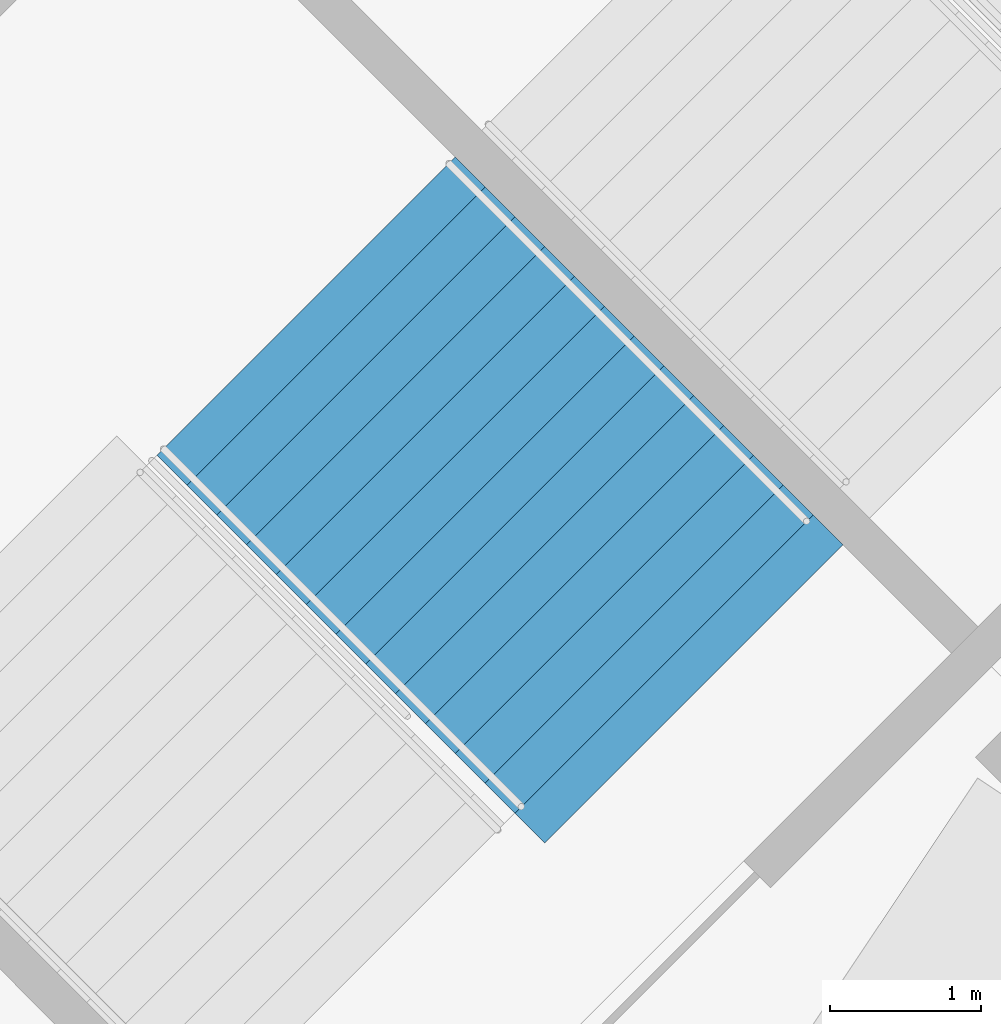
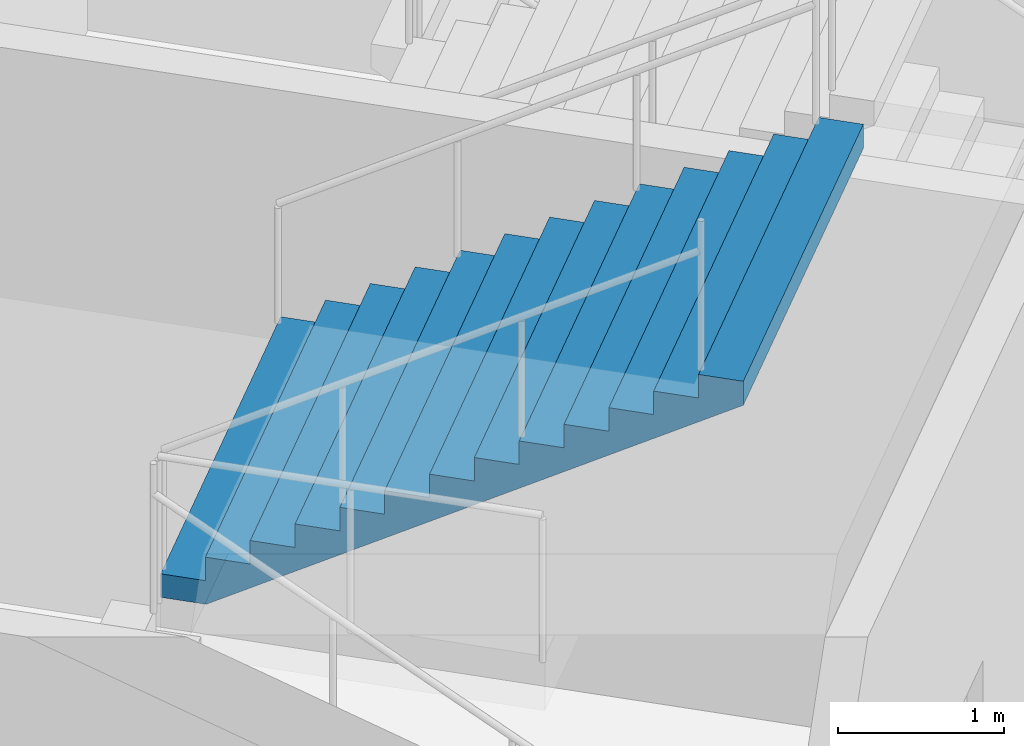
# One storey, part 116 of 175: 1 stair flight, 1 element without a shape of its own.
"""IFC4 building model written with IfcOpenShell, lengths in metres."""

from ifc_helpers import new_model, si_unit, direction, frame, origin, place, context, subcontext, project, spatial, faceted_brep, material, type_object, element, aggregate, save


model = new_model("IFC4")

# Units and contexts
model_context = context("Model", 3, precision=1e-05, world=origin(), true_north=direction((0.0, 1.0)))
body_context = subcontext(model_context, "Body", "Model", "MODEL_VIEW")
ifc_project = project(units=[si_unit("LENGTHUNIT", "METRE"), si_unit("AREAUNIT", "SQUARE_METRE"), si_unit("VOLUMEUNIT", "CUBIC_METRE"), si_unit("PLANEANGLEUNIT", "RADIAN"), si_unit("MASSUNIT", "GRAM", prefix="KILO")], contexts=[model_context])

# Site, building, storey
site_placement = place(None, origin())
site = spatial("IfcSite", under=ifc_project, at=site_placement, CompositionType="ELEMENT")
building_placement = place(site_placement, origin())
building = spatial("IfcBuilding", under=site, at=building_placement, Name="Ogive Plaza Stadium", CompositionType="ELEMENT")
storey_placement = place(building_placement, origin())
storey = spatial("IfcBuildingStorey", under=building, at=storey_placement, Name="L00", CompositionType="ELEMENT", Elevation=0.0)

# Stair, stair flight
ifc_material_1 = material(Name="Concrete C40/50", Category="concrete")
stair_type = type_object("IfcStairType", Name="Exit stair", PredefinedType="STRAIGHT_RUN_STAIR", material=ifc_material_1)
stair_placement = place(storey_placement, origin())
stair = element("IfcStair", 1, at=stair_placement, inside=storey, type_object=stair_type, Name="Exit stair ST30B L00 to L01", PredefinedType="STRAIGHT_RUN_STAIR")
ifc_material_2 = material(Name="Concrete C40/50", Category="concrete")
stair_flight_type = type_object("IfcStairFlightType", Name="Exit stair flight", PredefinedType="STRAIGHT", material=ifc_material_2)
stair_flight_placement = place(storey_placement, frame((-67.400146484375, 83.743408203125, 2.25), z_axis=(0.0, 0.0, 1.0), x_axis=(0.707106781187, -0.707106781187, 0.0)))
stair_flight = element("IfcStairFlight", 2, at=stair_flight_placement, type_object=stair_flight_type, Name="ST30B flight 2", NumberOfRisers=13, NumberOfTreads=12, PredefinedType="STRAIGHT", RiserHeight=0.173076923, TreadLength=0.28, context=body_context, shape_type="Brep", body=[
    faceted_brep([(0.28515625, -1.39990234375, 0.0), (3.639892578125, -1.39990234375, 2.07373046875), (3.639892578125, -1.39990234375, 2.25), (3.360107421875, -1.39990234375, 2.25), (3.360107421875, -1.39990234375, 2.076904296875), (3.080078125, -1.39990234375, 2.076904296875), (3.080078125, -1.39990234375, 1.90380859375), (2.800048828125, -1.39990234375, 1.90380859375), (2.800048828125, -1.39990234375, 1.730712890625), (2.52001953125, -1.39990234375, 1.730712890625), (2.52001953125, -1.39990234375, 1.5576171875), (2.239990234375, -1.39990234375, 1.5576171875), (2.239990234375, -1.39990234375, 1.384521484375), (1.9599609375, -1.39990234375, 1.384521484375), (1.9599609375, -1.39990234375, 1.21142578125), (1.679931640625, -1.39990234375, 1.21142578125), (1.679931640625, -1.39990234375, 1.03857421875), (1.39990234375, -1.39990234375, 1.03857421875), (1.39990234375, -1.39990234375, 0.865478515625), (1.1201171875, -1.39990234375, 0.865478515625), (1.1201171875, -1.39990234375, 0.6923828125), (0.840087890625, -1.39990234375, 0.6923828125), (0.840087890625, -1.39990234375, 0.519287109375), (0.56005859375, -1.39990234375, 0.519287109375), (0.56005859375, -1.39990234375, 0.34619140625), (0.280029296875, -1.39990234375, 0.34619140625), (0.280029296875, -1.39990234375, 0.173095703125), (0.0, -1.39990234375, 0.173095703125), (0.0, -1.39990234375, 0.0), (0.0, 1.39990234375, 0.0), (0.0, 1.39990234375, 0.173095703125), (0.280029296875, 1.39990234375, 0.173095703125), (0.280029296875, 1.39990234375, 0.34619140625), (0.56005859375, 1.39990234375, 0.34619140625), (0.56005859375, 1.39990234375, 0.519287109375), (0.840087890625, 1.39990234375, 0.519287109375), (0.840087890625, 1.39990234375, 0.6923828125), (1.1201171875, 1.39990234375, 0.6923828125), (1.1201171875, 1.39990234375, 0.865478515625), (1.39990234375, 1.39990234375, 0.865478515625), (1.39990234375, 1.39990234375, 1.03857421875), (1.679931640625, 1.39990234375, 1.03857421875), (1.679931640625, 1.39990234375, 1.21142578125), (1.9599609375, 1.39990234375, 1.21142578125), (1.9599609375, 1.39990234375, 1.384521484375), (2.239990234375, 1.39990234375, 1.384521484375), (2.239990234375, 1.39990234375, 1.5576171875), (2.52001953125, 1.39990234375, 1.5576171875), (2.52001953125, 1.39990234375, 1.730712890625), (2.800048828125, 1.39990234375, 1.730712890625), (2.800048828125, 1.39990234375, 1.90380859375), (3.080078125, 1.39990234375, 1.90380859375), (3.080078125, 1.39990234375, 2.076904296875), (3.360107421875, 1.39990234375, 2.076904296875), (3.360107421875, 1.39990234375, 2.25), (3.639892578125, 1.39990234375, 2.25), (3.639892578125, 1.39990234375, 2.07373046875), (0.28515625, 1.39990234375, 0.0), (0.28515625, -1.0888671875, 0.0), (3.639892578125, -1.0888671875, 2.07373046875), (0.28515625, -0.77783203125, 0.0), (3.639892578125, -0.77783203125, 2.07373046875), (0.28515625, -0.466796875, 0.0), (3.639892578125, -0.466796875, 2.07373046875), (0.28515625, -0.155517578125, 0.0), (3.639892578125, -0.155517578125, 2.07373046875), (0.28515625, 0.155517578125, 0.0), (3.639892578125, 0.155517578125, 2.07373046875), (0.28515625, 0.466796875, 0.0), (3.639892578125, 0.466796875, 2.07373046875), (0.28515625, 0.77783203125, 0.0), (3.639892578125, 0.77783203125, 2.07373046875), (0.28515625, 1.0888671875, 0.0), (3.639892578125, 1.0888671875, 2.07373046875), (3.639892578125, -1.0888671875, 2.25), (3.639892578125, -0.77783203125, 2.25), (3.639892578125, -0.466796875, 2.25), (3.639892578125, -0.155517578125, 2.25), (3.639892578125, 0.155517578125, 2.25), (3.639892578125, 0.466796875, 2.25), (3.639892578125, 0.77783203125, 2.25), (3.639892578125, 1.0888671875, 2.25), (3.360107421875, -1.0888671875, 2.25), (3.360107421875, -0.77783203125, 2.25), (3.360107421875, -0.466796875, 2.25), (3.360107421875, -0.155517578125, 2.25), (3.360107421875, 0.155517578125, 2.25), (3.360107421875, 0.466796875, 2.25), (3.360107421875, 0.77783203125, 2.25), (3.360107421875, 1.0888671875, 2.25), (3.360107421875, -1.0888671875, 2.076904296875), (3.360107421875, -0.77783203125, 2.076904296875), (3.360107421875, -0.466796875, 2.076904296875), (3.360107421875, -0.155517578125, 2.076904296875), (3.360107421875, 0.155517578125, 2.076904296875), (3.360107421875, 0.466796875, 2.076904296875), (3.360107421875, 0.77783203125, 2.076904296875), (3.360107421875, 1.0888671875, 2.076904296875), (3.080078125, -1.0888671875, 2.076904296875), (3.080078125, -0.77783203125, 2.076904296875), (3.080078125, -0.466796875, 2.076904296875), (3.080078125, -0.155517578125, 2.076904296875), (3.080078125, 0.155517578125, 2.076904296875), (3.080078125, 0.466796875, 2.076904296875), (3.080078125, 0.77783203125, 2.076904296875), (3.080078125, 1.0888671875, 2.076904296875), (3.080078125, -1.0888671875, 1.90380859375), (3.080078125, -0.77783203125, 1.90380859375), (3.080078125, -0.466796875, 1.90380859375), (3.080078125, -0.155517578125, 1.90380859375), (3.080078125, 0.155517578125, 1.90380859375), (3.080078125, 0.466796875, 1.90380859375), (3.080078125, 0.77783203125, 1.90380859375), (3.080078125, 1.0888671875, 1.90380859375), (2.800048828125, -1.0888671875, 1.90380859375), (2.800048828125, -0.77783203125, 1.90380859375), (2.800048828125, -0.466796875, 1.90380859375), (2.800048828125, -0.155517578125, 1.90380859375), (2.800048828125, 0.155517578125, 1.90380859375), (2.800048828125, 0.466796875, 1.90380859375), (2.800048828125, 0.77783203125, 1.90380859375), (2.800048828125, 1.0888671875, 1.90380859375), (2.800048828125, -1.0888671875, 1.730712890625), (2.800048828125, -0.77783203125, 1.730712890625), (2.800048828125, -0.466796875, 1.730712890625), (2.800048828125, -0.155517578125, 1.730712890625), (2.800048828125, 0.155517578125, 1.730712890625), (2.800048828125, 0.466796875, 1.730712890625), (2.800048828125, 0.77783203125, 1.730712890625), (2.800048828125, 1.0888671875, 1.730712890625), (2.52001953125, -1.0888671875, 1.730712890625), (2.52001953125, -0.77783203125, 1.730712890625), (2.52001953125, -0.466796875, 1.730712890625), (2.52001953125, -0.155517578125, 1.730712890625), (2.52001953125, 0.155517578125, 1.730712890625), (2.52001953125, 0.466796875, 1.730712890625), (2.52001953125, 0.77783203125, 1.730712890625), (2.52001953125, 1.0888671875, 1.730712890625), (2.52001953125, -1.0888671875, 1.5576171875), (2.52001953125, -0.77783203125, 1.5576171875), (2.52001953125, -0.466796875, 1.5576171875), (2.52001953125, -0.155517578125, 1.5576171875), (2.52001953125, 0.155517578125, 1.5576171875), (2.52001953125, 0.466796875, 1.5576171875), (2.52001953125, 0.77783203125, 1.5576171875), (2.52001953125, 1.0888671875, 1.5576171875), (2.239990234375, -1.0888671875, 1.5576171875), (2.239990234375, -0.77783203125, 1.5576171875), (2.239990234375, -0.466796875, 1.5576171875), (2.239990234375, -0.155517578125, 1.5576171875), (2.239990234375, 0.155517578125, 1.5576171875), (2.239990234375, 0.466796875, 1.5576171875), (2.239990234375, 0.77783203125, 1.5576171875), (2.239990234375, 1.0888671875, 1.5576171875), (2.239990234375, -1.0888671875, 1.384521484375), (2.239990234375, -0.77783203125, 1.384521484375), (2.239990234375, -0.466796875, 1.384521484375), (2.239990234375, -0.155517578125, 1.384521484375), (2.239990234375, 0.155517578125, 1.384521484375), (2.239990234375, 0.466796875, 1.384521484375), (2.239990234375, 0.77783203125, 1.384521484375), (2.239990234375, 1.0888671875, 1.384521484375), (1.9599609375, -1.0888671875, 1.384521484375), (1.9599609375, -0.77783203125, 1.384521484375), (1.9599609375, -0.466796875, 1.384521484375), (1.9599609375, -0.155517578125, 1.384521484375), (1.9599609375, 0.155517578125, 1.384521484375), (1.9599609375, 0.466796875, 1.384521484375), (1.9599609375, 0.77783203125, 1.384521484375), (1.9599609375, 1.0888671875, 1.384521484375), (1.9599609375, -1.0888671875, 1.21142578125), (1.9599609375, -0.77783203125, 1.21142578125), (1.9599609375, -0.466796875, 1.21142578125), (1.9599609375, -0.155517578125, 1.21142578125), (1.9599609375, 0.155517578125, 1.21142578125), (1.9599609375, 0.466796875, 1.21142578125), (1.9599609375, 0.77783203125, 1.21142578125), (1.9599609375, 1.0888671875, 1.21142578125), (1.679931640625, -1.0888671875, 1.21142578125), (1.679931640625, -0.77783203125, 1.21142578125), (1.679931640625, -0.466796875, 1.21142578125), (1.679931640625, -0.155517578125, 1.21142578125), (1.679931640625, 0.155517578125, 1.21142578125), (1.679931640625, 0.466796875, 1.21142578125), (1.679931640625, 0.77783203125, 1.21142578125), (1.679931640625, 1.0888671875, 1.21142578125), (1.679931640625, -1.0888671875, 1.03857421875), (1.679931640625, -0.77783203125, 1.03857421875), (1.679931640625, -0.466796875, 1.03857421875), (1.679931640625, -0.155517578125, 1.03857421875), (1.679931640625, 0.155517578125, 1.03857421875), (1.679931640625, 0.466796875, 1.03857421875), (1.679931640625, 0.77783203125, 1.03857421875), (1.679931640625, 1.0888671875, 1.03857421875), (1.39990234375, -1.0888671875, 1.03857421875), (1.39990234375, -0.77783203125, 1.03857421875), (1.39990234375, -0.466796875, 1.03857421875), (1.39990234375, -0.155517578125, 1.03857421875), (1.39990234375, 0.155517578125, 1.03857421875), (1.39990234375, 0.466796875, 1.03857421875), (1.39990234375, 0.77783203125, 1.03857421875), (1.39990234375, 1.0888671875, 1.03857421875), (1.39990234375, -1.0888671875, 0.865478515625), (1.39990234375, -0.77783203125, 0.865478515625), (1.39990234375, -0.466796875, 0.865478515625), (1.39990234375, -0.155517578125, 0.865478515625), (1.39990234375, 0.155517578125, 0.865478515625), (1.39990234375, 0.466796875, 0.865478515625), (1.39990234375, 0.77783203125, 0.865478515625), (1.39990234375, 1.0888671875, 0.865478515625), (1.1201171875, -1.0888671875, 0.865478515625), (1.1201171875, -0.77783203125, 0.865478515625), (1.1201171875, -0.466796875, 0.865478515625), (1.1201171875, -0.155517578125, 0.865478515625), (1.1201171875, 0.155517578125, 0.865478515625), (1.1201171875, 0.466796875, 0.865478515625), (1.1201171875, 0.77783203125, 0.865478515625), (1.1201171875, 1.0888671875, 0.865478515625), (1.1201171875, -1.0888671875, 0.6923828125), (1.1201171875, -0.77783203125, 0.6923828125), (1.1201171875, -0.466796875, 0.6923828125), (1.1201171875, -0.155517578125, 0.6923828125), (1.1201171875, 0.155517578125, 0.6923828125), (1.1201171875, 0.466796875, 0.6923828125), (1.1201171875, 0.77783203125, 0.6923828125), (1.1201171875, 1.0888671875, 0.6923828125), (0.840087890625, -1.0888671875, 0.6923828125), (0.840087890625, -0.77783203125, 0.6923828125), (0.840087890625, -0.466796875, 0.6923828125), (0.840087890625, -0.155517578125, 0.6923828125), (0.840087890625, 0.155517578125, 0.6923828125), (0.840087890625, 0.466796875, 0.6923828125), (0.840087890625, 0.77783203125, 0.6923828125), (0.840087890625, 1.0888671875, 0.6923828125), (0.840087890625, -1.0888671875, 0.519287109375), (0.840087890625, -0.77783203125, 0.519287109375), (0.840087890625, -0.466796875, 0.519287109375), (0.840087890625, -0.155517578125, 0.519287109375), (0.840087890625, 0.155517578125, 0.519287109375), (0.840087890625, 0.466796875, 0.519287109375), (0.840087890625, 0.77783203125, 0.519287109375), (0.840087890625, 1.0888671875, 0.519287109375), (0.56005859375, -1.0888671875, 0.519287109375), (0.56005859375, -0.77783203125, 0.519287109375), (0.56005859375, -0.466796875, 0.519287109375), (0.56005859375, -0.155517578125, 0.519287109375), (0.56005859375, 0.155517578125, 0.519287109375), (0.56005859375, 0.466796875, 0.519287109375), (0.56005859375, 0.77783203125, 0.519287109375), (0.56005859375, 1.0888671875, 0.519287109375), (0.56005859375, -1.0888671875, 0.34619140625), (0.56005859375, -0.77783203125, 0.34619140625), (0.56005859375, -0.466796875, 0.34619140625), (0.56005859375, -0.155517578125, 0.34619140625), (0.56005859375, 0.155517578125, 0.34619140625), (0.56005859375, 0.466796875, 0.34619140625), (0.56005859375, 0.77783203125, 0.34619140625), (0.56005859375, 1.0888671875, 0.34619140625), (0.280029296875, -1.0888671875, 0.34619140625), (0.280029296875, -0.77783203125, 0.34619140625), (0.280029296875, -0.466796875, 0.34619140625), (0.280029296875, -0.155517578125, 0.34619140625), (0.280029296875, 0.155517578125, 0.34619140625), (0.280029296875, 0.466796875, 0.34619140625), (0.280029296875, 0.77783203125, 0.34619140625), (0.280029296875, 1.0888671875, 0.34619140625), (0.280029296875, -1.0888671875, 0.173095703125), (0.280029296875, -0.77783203125, 0.173095703125), (0.280029296875, -0.466796875, 0.173095703125), (0.280029296875, -0.155517578125, 0.173095703125), (0.280029296875, 0.155517578125, 0.173095703125), (0.280029296875, 0.466796875, 0.173095703125), (0.280029296875, 0.77783203125, 0.173095703125), (0.280029296875, 1.0888671875, 0.173095703125), (0.0, -1.0888671875, 0.173095703125), (0.0, -0.77783203125, 0.173095703125), (0.0, -0.466796875, 0.173095703125), (0.0, -0.155517578125, 0.173095703125), (0.0, 0.155517578125, 0.173095703125), (0.0, 0.466796875, 0.173095703125), (0.0, 0.77783203125, 0.173095703125), (0.0, 1.0888671875, 0.173095703125), (0.0, -1.0888671875, 0.0), (0.0, -0.77783203125, 0.0), (0.0, -0.466796875, 0.0), (0.0, -0.155517578125, 0.0), (0.0, 0.155517578125, 0.0), (0.0, 0.466796875, 0.0), (0.0, 0.77783203125, 0.0), (0.0, 1.0888671875, 0.0)], [[[0, 1, 2, 3, 4, 5, 6, 7, 8, 9, 10, 11, 12, 13, 14, 15, 16, 17, 18, 19, 20, 21, 22, 23, 24, 25, 26, 27, 28]], [[29, 30, 31, 32, 33, 34, 35, 36, 37, 38, 39, 40, 41, 42, 43, 44, 45, 46, 47, 48, 49, 50, 51, 52, 53, 54, 55, 56, 57]], [[0, 58, 59, 1]], [[58, 60, 61, 59]], [[60, 62, 63, 61]], [[62, 64, 65, 63]], [[64, 66, 67, 65]], [[66, 68, 69, 67]], [[68, 70, 71, 69]], [[70, 72, 73, 71]], [[72, 57, 56, 73]], [[1, 59, 74, 2]], [[59, 61, 75, 74]], [[61, 63, 76, 75]], [[63, 65, 77, 76]], [[65, 67, 78, 77]], [[67, 69, 79, 78]], [[69, 71, 80, 79]], [[71, 73, 81, 80]], [[73, 56, 55, 81]], [[2, 74, 82, 3]], [[74, 75, 83, 82]], [[75, 76, 84, 83]], [[76, 77, 85, 84]], [[77, 78, 86, 85]], [[78, 79, 87, 86]], [[79, 80, 88, 87]], [[80, 81, 89, 88]], [[81, 55, 54, 89]], [[3, 82, 90, 4]], [[82, 83, 91, 90]], [[83, 84, 92, 91]], [[84, 85, 93, 92]], [[85, 86, 94, 93]], [[86, 87, 95, 94]], [[87, 88, 96, 95]], [[88, 89, 97, 96]], [[89, 54, 53, 97]], [[4, 90, 98, 5]], [[90, 91, 99, 98]], [[91, 92, 100, 99]], [[92, 93, 101, 100]], [[93, 94, 102, 101]], [[94, 95, 103, 102]], [[95, 96, 104, 103]], [[96, 97, 105, 104]], [[97, 53, 52, 105]], [[5, 98, 106, 6]], [[98, 99, 107, 106]], [[99, 100, 108, 107]], [[100, 101, 109, 108]], [[101, 102, 110, 109]], [[102, 103, 111, 110]], [[103, 104, 112, 111]], [[104, 105, 113, 112]], [[105, 52, 51, 113]], [[6, 106, 114, 7]], [[106, 107, 115, 114]], [[107, 108, 116, 115]], [[108, 109, 117, 116]], [[109, 110, 118, 117]], [[110, 111, 119, 118]], [[111, 112, 120, 119]], [[112, 113, 121, 120]], [[113, 51, 50, 121]], [[7, 114, 122, 8]], [[114, 115, 123, 122]], [[115, 116, 124, 123]], [[116, 117, 125, 124]], [[117, 118, 126, 125]], [[118, 119, 127, 126]], [[119, 120, 128, 127]], [[120, 121, 129, 128]], [[121, 50, 49, 129]], [[8, 122, 130, 9]], [[122, 123, 131, 130]], [[123, 124, 132, 131]], [[124, 125, 133, 132]], [[125, 126, 134, 133]], [[126, 127, 135, 134]], [[127, 128, 136, 135]], [[128, 129, 137, 136]], [[129, 49, 48, 137]], [[9, 130, 138, 10]], [[130, 131, 139, 138]], [[131, 132, 140, 139]], [[132, 133, 141, 140]], [[133, 134, 142, 141]], [[134, 135, 143, 142]], [[135, 136, 144, 143]], [[136, 137, 145, 144]], [[137, 48, 47, 145]], [[10, 138, 146, 11]], [[138, 139, 147, 146]], [[139, 140, 148, 147]], [[140, 141, 149, 148]], [[141, 142, 150, 149]], [[142, 143, 151, 150]], [[143, 144, 152, 151]], [[144, 145, 153, 152]], [[145, 47, 46, 153]], [[11, 146, 154, 12]], [[146, 147, 155, 154]], [[147, 148, 156, 155]], [[148, 149, 157, 156]], [[149, 150, 158, 157]], [[150, 151, 159, 158]], [[151, 152, 160, 159]], [[152, 153, 161, 160]], [[153, 46, 45, 161]], [[12, 154, 162, 13]], [[154, 155, 163, 162]], [[155, 156, 164, 163]], [[156, 157, 165, 164]], [[157, 158, 166, 165]], [[158, 159, 167, 166]], [[159, 160, 168, 167]], [[160, 161, 169, 168]], [[161, 45, 44, 169]], [[13, 162, 170, 14]], [[162, 163, 171, 170]], [[163, 164, 172, 171]], [[164, 165, 173, 172]], [[165, 166, 174, 173]], [[166, 167, 175, 174]], [[167, 168, 176, 175]], [[168, 169, 177, 176]], [[169, 44, 43, 177]], [[14, 170, 178, 15]], [[170, 171, 179, 178]], [[171, 172, 180, 179]], [[172, 173, 181, 180]], [[173, 174, 182, 181]], [[174, 175, 183, 182]], [[175, 176, 184, 183]], [[176, 177, 185, 184]], [[177, 43, 42, 185]], [[15, 178, 186, 16]], [[178, 179, 187, 186]], [[179, 180, 188, 187]], [[180, 181, 189, 188]], [[181, 182, 190, 189]], [[182, 183, 191, 190]], [[183, 184, 192, 191]], [[184, 185, 193, 192]], [[185, 42, 41, 193]], [[16, 186, 194, 17]], [[186, 187, 195, 194]], [[187, 188, 196, 195]], [[188, 189, 197, 196]], [[189, 190, 198, 197]], [[190, 191, 199, 198]], [[191, 192, 200, 199]], [[192, 193, 201, 200]], [[193, 41, 40, 201]], [[17, 194, 202, 18]], [[194, 195, 203, 202]], [[195, 196, 204, 203]], [[196, 197, 205, 204]], [[197, 198, 206, 205]], [[198, 199, 207, 206]], [[199, 200, 208, 207]], [[200, 201, 209, 208]], [[201, 40, 39, 209]], [[18, 202, 210, 19]], [[202, 203, 211, 210]], [[203, 204, 212, 211]], [[204, 205, 213, 212]], [[205, 206, 214, 213]], [[206, 207, 215, 214]], [[207, 208, 216, 215]], [[208, 209, 217, 216]], [[209, 39, 38, 217]], [[19, 210, 218, 20]], [[210, 211, 219, 218]], [[211, 212, 220, 219]], [[212, 213, 221, 220]], [[213, 214, 222, 221]], [[214, 215, 223, 222]], [[215, 216, 224, 223]], [[216, 217, 225, 224]], [[217, 38, 37, 225]], [[20, 218, 226, 21]], [[218, 219, 227, 226]], [[219, 220, 228, 227]], [[220, 221, 229, 228]], [[221, 222, 230, 229]], [[222, 223, 231, 230]], [[223, 224, 232, 231]], [[224, 225, 233, 232]], [[225, 37, 36, 233]], [[21, 226, 234, 22]], [[226, 227, 235, 234]], [[227, 228, 236, 235]], [[228, 229, 237, 236]], [[229, 230, 238, 237]], [[230, 231, 239, 238]], [[231, 232, 240, 239]], [[232, 233, 241, 240]], [[233, 36, 35, 241]], [[22, 234, 242, 23]], [[234, 235, 243, 242]], [[235, 236, 244, 243]], [[236, 237, 245, 244]], [[237, 238, 246, 245]], [[238, 239, 247, 246]], [[239, 240, 248, 247]], [[240, 241, 249, 248]], [[241, 35, 34, 249]], [[23, 242, 250, 24]], [[242, 243, 251, 250]], [[243, 244, 252, 251]], [[244, 245, 253, 252]], [[245, 246, 254, 253]], [[246, 247, 255, 254]], [[247, 248, 256, 255]], [[248, 249, 257, 256]], [[249, 34, 33, 257]], [[24, 250, 258, 25]], [[250, 251, 259, 258]], [[251, 252, 260, 259]], [[252, 253, 261, 260]], [[253, 254, 262, 261]], [[254, 255, 263, 262]], [[255, 256, 264, 263]], [[256, 257, 265, 264]], [[257, 33, 32, 265]], [[25, 258, 266, 26]], [[258, 259, 267, 266]], [[259, 260, 268, 267]], [[260, 261, 269, 268]], [[261, 262, 270, 269]], [[262, 263, 271, 270]], [[263, 264, 272, 271]], [[264, 265, 273, 272]], [[265, 32, 31, 273]], [[26, 266, 274, 27]], [[266, 267, 275, 274]], [[267, 268, 276, 275]], [[268, 269, 277, 276]], [[269, 270, 278, 277]], [[270, 271, 279, 278]], [[271, 272, 280, 279]], [[272, 273, 281, 280]], [[273, 31, 30, 281]], [[27, 274, 282, 28]], [[274, 275, 283, 282]], [[275, 276, 284, 283]], [[276, 277, 285, 284]], [[277, 278, 286, 285]], [[278, 279, 287, 286]], [[279, 280, 288, 287]], [[280, 281, 289, 288]], [[281, 30, 29, 289]], [[28, 282, 58, 0]], [[282, 283, 60, 58]], [[283, 284, 62, 60]], [[284, 285, 64, 62]], [[285, 286, 66, 64]], [[286, 287, 68, 66]], [[287, 288, 70, 68]], [[288, 289, 72, 70]], [[289, 29, 57, 72]]]),
])
aggregate(stair, [stair_flight])

save(model, "model.ifc")
